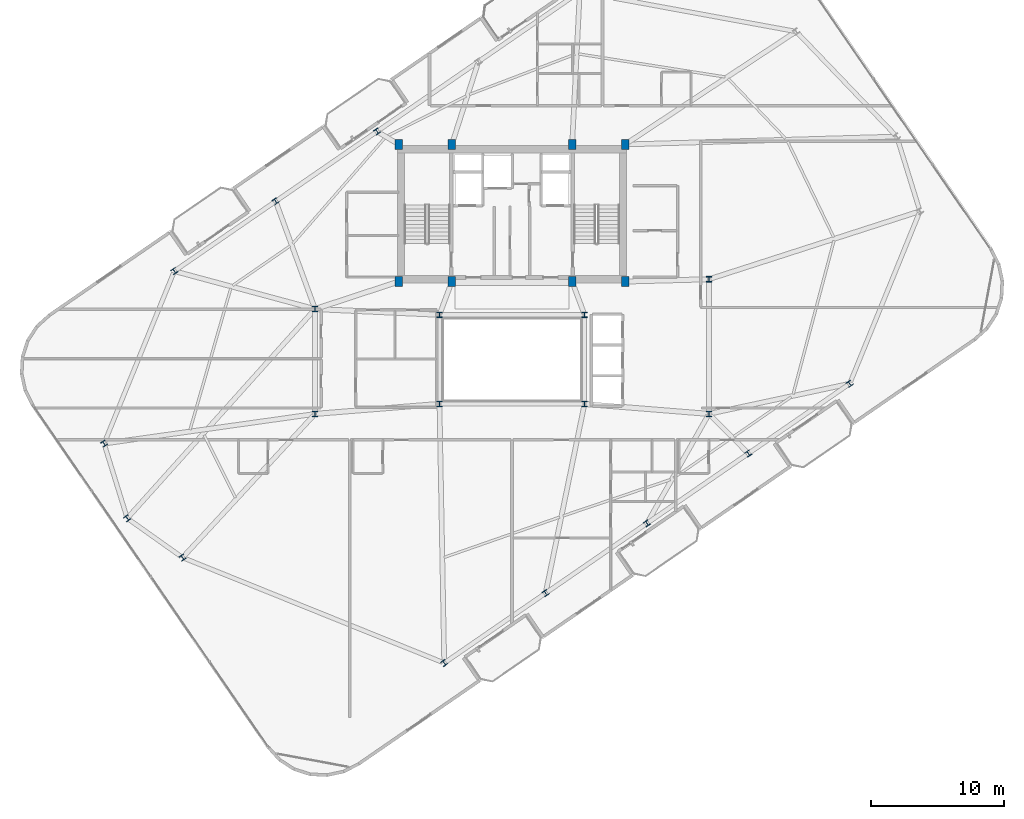
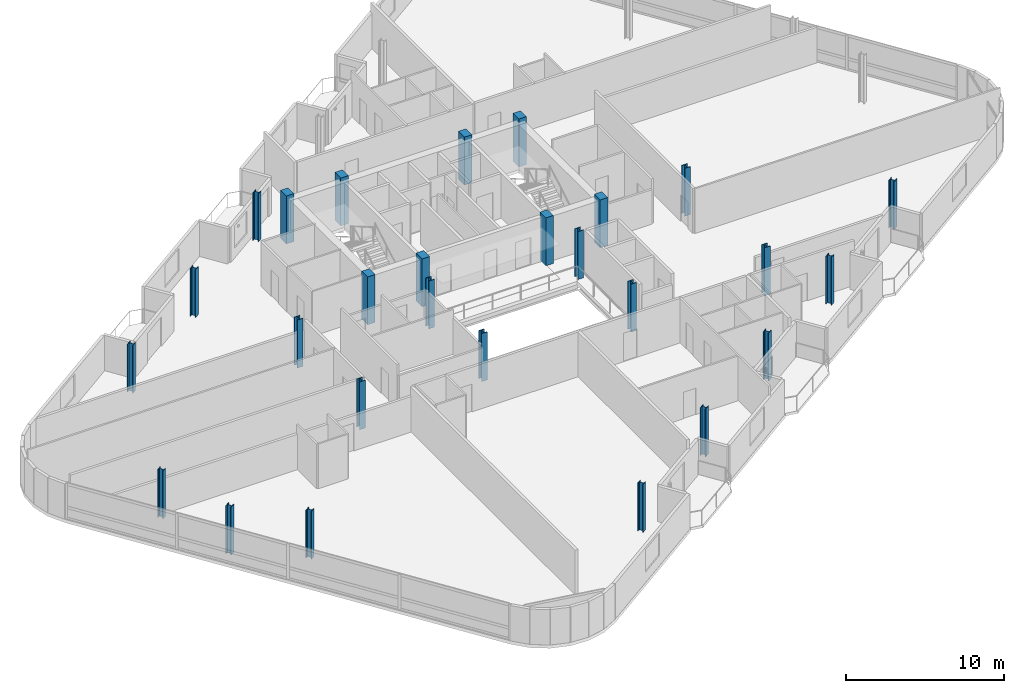
# One storey, part 1 of 23: 27 columns.
"""IFC4 building model written with IfcOpenShell, lengths in metres."""

from ifc_helpers import new_model, si_unit, direction, frame, origin, origin_2d, place, context, subcontext, project, spatial, rectangle, i_section, extrude, material, material_profile, profile_set, type_object, element, save


model = new_model("IFC4")

# Units and contexts
model_context = context("Model", 3, precision=1e-05, world=origin(), true_north=direction((0.0, 1.0)))
body_context = subcontext(model_context, "Body", "Model", "MODEL_VIEW")
ifc_project = project(units=[si_unit("LENGTHUNIT", "METRE"), si_unit("AREAUNIT", "SQUARE_METRE"), si_unit("VOLUMEUNIT", "CUBIC_METRE"), si_unit("PLANEANGLEUNIT", "RADIAN"), si_unit("MASSUNIT", "GRAM", prefix="KILO")], contexts=[model_context])

# Site, building, storey
site_placement = place(None, origin())
site = spatial("IfcSite", under=ifc_project, at=site_placement, CompositionType="ELEMENT")
building_placement = place(site_placement, origin())
building = spatial("IfcBuilding", under=site, at=building_placement, Name="Varnelok Gate Tower", CompositionType="ELEMENT")
storey_placement = place(building_placement, frame((0.0, 0.0, 273.0)))
storey = spatial("IfcBuildingStorey", under=building, at=storey_placement, Name="L70", CompositionType="ELEMENT", Elevation=273.0)

# Columns
ifc_material_1 = material(Name="Concrete C50/60", Category="concrete")
ifc_material_profile_1 = material_profile(ifc_material_1, rectangle(XDim=0.550048828125, YDim=0.75, at=origin_2d()), Name="RC750X550")
ifc_profile_set_1 = profile_set([ifc_material_profile_1], Name="Concrete C50/60")
column_type_1 = type_object("IfcColumnType", Name="COL-RC750X550", PredefinedType="COLUMN", material=ifc_profile_set_1)
for number, where, z_axis, x_axis, name in (
    (1, (30.699951171875, 28.75, 0.0), (0.0, 0.0, 1.0), (1.0, 0.0, 0.0), "L70 Core Spine Column SC1"),
    (2, (34.679931640625, 28.75, 0.0), (0.0, 0.0, 1.0), (1.0, 0.0, 0.0), "L70 Core Spine Column SC2"),
    (3, (43.719970703125, 28.75, 0.0), (0.0, 0.0, 1.0), (1.0, 0.0, 0.0), "L70 Core Spine Column SC3"),
    (4, (47.699951171875, 28.75, 0.0), (0.0, 0.0, 1.0), (1.0, 0.0, 0.0), "L70 Core Spine Column SC4"),
    (5, (30.699951171875, 39.050048828125, 0.0), (0.0, 0.0, 1.0), (1.0, 0.0, 0.0), "L70 Core Spine Column SC5"),
    (6, (34.679931640625, 39.050048828125, 0.0), (0.0, 0.0, 1.0), (1.0, 0.0, 0.0), "L70 Core Spine Column SC6"),
    (7, (43.719970703125, 39.050048828125, 0.0), (0.0, 0.0, 1.0), (1.0, 0.0, 0.0), "L70 Core Spine Column SC7"),
    (8, (47.699951171875, 39.050048828125, 0.0), (0.0, 0.0, 1.0), (1.0, 0.0, 0.0), "L70 Core Spine Column SC8"),
):
    element("IfcColumn", number, at=place(storey_placement, frame(where, z_axis=z_axis, x_axis=x_axis)), inside=storey, type_object=column_type_1, Name=name, PredefinedType="COLUMN", context=body_context, shape_type="SweptSolid", body=[
        extrude(rectangle(XDim=0.550048828125, YDim=0.75, at=origin_2d()), origin(), (0.0, 0.0, 1.0), 3.699951171875),
    ])
ifc_material_2 = material(Name="Structural Steel ASTM A992 Grade 50", Category="steel")
ifc_material_profile_2 = material_profile(ifc_material_2, i_section(OverallWidth=0.40087890625, OverallDepth=0.39892578125, WebThickness=0.02490234375, FlangeThickness=0.03955078125, FilletRadius=0.02197265625, at=origin_2d()), Name="W14X211")
ifc_profile_set_2 = profile_set([ifc_material_profile_2], Name="Structural Steel ASTM A992 Grade 50")
column_type_2 = type_object("IfcColumnType", Name="COL-W14X211", PredefinedType="COLUMN", material=ifc_profile_set_2)
for number, where, z_axis, x_axis, name in (
    (9, (34.107421875, 0.080810546875, 0.0), (0.0, 0.0, 1.0), (0.823532597628, 0.567268949127, 0.0), "L70 B6 Perimeter Column PC01"),
    (10, (41.72509765625, 5.327880859375, 0.0), (0.0, 0.0, 1.0), (0.823532597628, 0.567268949127, 0.0), "L70 B6 Perimeter Column PC02"),
    (11, (49.3427734375, 10.5751953125, 0.0), (0.0, 0.0, 1.0), (0.823532597628, 0.567268949127, 0.0), "L70 B6 Perimeter Column PC03"),
    (12, (56.96044921875, 15.822509765625, 0.0), (0.0, 0.0, 1.0), (0.823532597628, 0.567268949127, 0.0), "L70 B6 Perimeter Column PC04"),
    (13, (64.578125, 21.069580078125, 0.0), (0.0, 0.0, 1.0), (0.823532597628, 0.567268949127, 0.0), "L70 B6 Perimeter Column PC05"),
    (14, (29.05712890625, 40.02490234375, 0.0), (0.0, 0.0, 1.0), (0.823532597628, 0.567268949127, 0.0), "L70 B6 Perimeter Column PC11"),
    (15, (21.439697265625, 34.777587890625, 0.0), (0.0, 0.0, 1.0), (0.823532597628, 0.567268949127, 0.0), "L70 B6 Perimeter Column PC12"),
    (16, (13.822021484375, 29.5302734375, 0.0), (0.0, 0.0, 1.0), (0.823532597628, 0.567268949127, 0.0), "L70 B6 Perimeter Column PC13"),
    (17, (8.543212890625, 16.568603515625, 0.0), (0.0, 0.0, 1.0), (0.823532597628, 0.567268949127, 0.0), "L70 B6 Perimeter Column PC14"),
    (18, (10.284423828125, 10.955810546875, 0.0), (0.0, 0.0, 1.0), (0.823532597628, 0.567268949127, 0.0), "L70 B6 Perimeter Column PC15"),
    (19, (14.44287109375, 8.00390625, 0.0), (0.0, 0.0, 1.0), (0.823532597628, 0.567268949127, 0.0), "L70 B6 Perimeter Column PC16"),
):
    element("IfcColumn", number, at=place(storey_placement, frame(where, z_axis=z_axis, x_axis=x_axis)), inside=storey, type_object=column_type_2, Name=name, PredefinedType="COLUMN", context=body_context, shape_type="SweptSolid", body=[
        extrude(i_section(OverallWidth=0.40087890625, OverallDepth=0.39892578125, WebThickness=0.02490234375, FlangeThickness=0.03955078125, FilletRadius=0.02197265625, at=origin_2d()), origin(), (0.0, 0.0, 1.0), 3.699951171875),
    ])
ifc_material_profile_3 = material_profile(ifc_material_2, i_section(OverallWidth=0.406005859375, OverallDepth=0.416015625, WebThickness=0.02978515625, FlangeThickness=0.048095703125, FilletRadius=0.02490234375, at=origin_2d()), Name="W14X257")
ifc_profile_set_3 = profile_set([ifc_material_profile_3], Name="Structural Steel ASTM A992 Grade 50")
column_type_3 = type_object("IfcColumnType", Name="COL-W14X257", PredefinedType="COLUMN", material=ifc_profile_set_3)
for number, where, z_axis, x_axis, name in (
    (20, (33.75, 19.550048828125, 0.0), (0.0, 0.0, 1.0), (1.0, 0.0, 0.0), "L70 Atrium Spine Column AC1"),
    (21, (44.64990234375, 19.550048828125, 0.0), (0.0, 0.0, 1.0), (1.0, 0.0, 0.0), "L70 Atrium Spine Column AC2"),
    (22, (33.75, 26.25, 0.0), (0.0, 0.0, 1.0), (1.0, 0.0, 0.0), "L70 Atrium Spine Column AC3"),
    (23, (44.64990234375, 26.25, 0.0), (0.0, 0.0, 1.0), (1.0, 0.0, 0.0), "L70 Atrium Spine Column AC4"),
    (24, (24.39990234375, 18.800048828125, 0.0), (0.0, 0.0, 1.0), (1.0, 0.0, 0.0), "L70 Wing Spine Column WS1"),
    (25, (24.39990234375, 26.679931640625, 0.0), (0.0, 0.0, 1.0), (1.0, 0.0, 0.0), "L70 Wing Spine Column WS2"),
    (26, (54.0, 18.800048828125, 0.0), (0.0, 0.0, 1.0), (1.0, 0.0, 0.0), "L70 Wing Spine Column ES1"),
    (27, (54.0, 28.919921875, 0.0), (0.0, 0.0, 1.0), (1.0, 0.0, 0.0), "L70 Wing Spine Column ES2"),
):
    element("IfcColumn", number, at=place(storey_placement, frame(where, z_axis=z_axis, x_axis=x_axis)), inside=storey, type_object=column_type_3, Name=name, PredefinedType="COLUMN", context=body_context, shape_type="SweptSolid", body=[
        extrude(i_section(OverallWidth=0.406005859375, OverallDepth=0.416015625, WebThickness=0.02978515625, FlangeThickness=0.048095703125, FilletRadius=0.02490234375, at=origin_2d()), origin(), (0.0, 0.0, 1.0), 3.699951171875),
    ])

save(model, "model.ifc")
